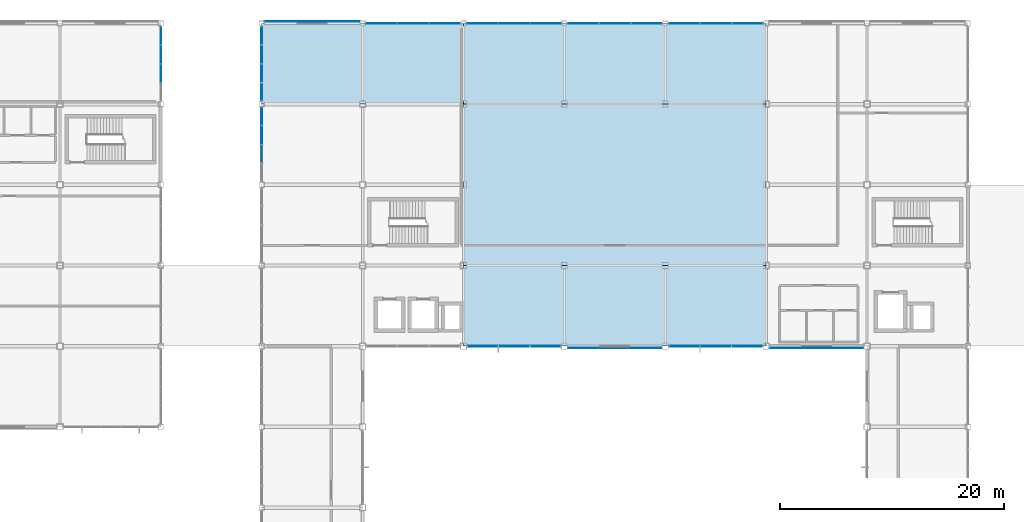
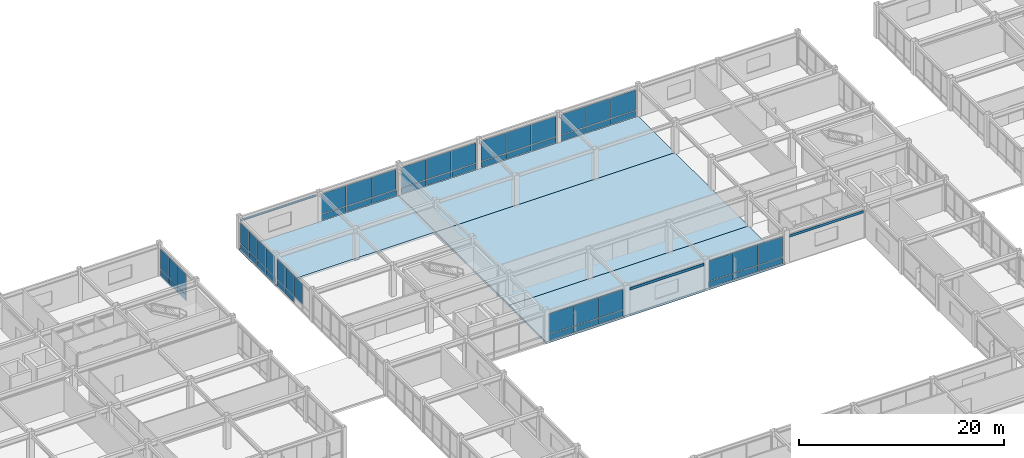
# One storey, part 89 of 113: 58 plates, 4 slabs, 9 elements without a shape of their own.
"""IFC4 building model written with IfcOpenShell, lengths in metres."""

from ifc_helpers import new_model, si_unit, direction, frame, origin, origin_2d, place, context, subcontext, project, spatial, polyline, rectangle, outline, extrude, material, layer, layer_set, type_object, element, aggregate, save


model = new_model("IFC4")

# Units and contexts
model_context = context("Model", 3, precision=1e-05, world=origin(), true_north=direction((0.0, 1.0)))
body_context = subcontext(model_context, "Body", "Model", "MODEL_VIEW")
ifc_project = project(units=[si_unit("LENGTHUNIT", "METRE"), si_unit("AREAUNIT", "SQUARE_METRE"), si_unit("VOLUMEUNIT", "CUBIC_METRE"), si_unit("PLANEANGLEUNIT", "RADIAN"), si_unit("MASSUNIT", "GRAM", prefix="KILO")], contexts=[model_context])

# Site, building, storey
site_placement = place(None, origin())
site = spatial("IfcSite", under=ifc_project, at=site_placement, CompositionType="ELEMENT")
building_placement = place(site_placement, origin())
building = spatial("IfcBuilding", under=site, at=building_placement, Name="Kazanami Central Library", CompositionType="ELEMENT")
storey_placement = place(building_placement, frame((0.0, 0.0, 8.800048828125)))
storey = spatial("IfcBuildingStorey", under=building, at=storey_placement, Name="L03", CompositionType="ELEMENT", Elevation=8.800048828125)

# Curtain wall, plates
ifc_material_1 = material(Name="Acid-Etched Low-E Laminated Glass", Category="glass")
curtain_wall_type_1 = type_object("IfcCurtainWallType", Name="CW-8550x3295-M275", PredefinedType="USERDEFINED", material=ifc_material_1)
curtain_wall_1_placement = place(storey_placement, origin())
curtain_wall_1 = element("IfcCurtainWall", 1, at=curtain_wall_1_placement, inside=storey, type_object=curtain_wall_type_1, Name="Unitised Curtain Wall CW-30 L03 N-O-06", ObjectType="UNITISED CURTAIN WALL", PredefinedType="USERDEFINED")
ifc_layer_1 = layer(ifc_material_1, 0.035888671875, Name="Acid-Etched Low-E Laminated Glass")
ifc_layer_set_1 = layer_set([ifc_layer_1], Name="Acid-Etched Low-E Laminated Glass")
plate_type_1 = type_object("IfcPlateType", Name="PLT-CW-P1", PredefinedType="CURTAIN_PANEL", material=ifc_layer_set_1)
plate_1_placement = place(storey_placement, frame((61.33251953125, 93.60009765625, 0.81494140625), z_axis=(0.0, 0.0, 1.0), x_axis=(-1.0, 0.0, 0.0)))
plate_1 = element("IfcPlate", 2, at=plate_1_placement, type_object=plate_type_1, Name="CW-30 panel 1.2", PredefinedType="CURTAIN_PANEL", context=body_context, shape_type="SweptSolid", body=[
    extrude(rectangle(XDim=2.7451171875, YDim=0.035888671875, at=origin_2d()), origin(), (0.0, 0.0, 1.0), 2.409912109375),
])
plate_2_placement = place(storey_placement, frame((58.5, 93.60009765625, 0.81494140625), z_axis=(0.0, 0.0, 1.0), x_axis=(-1.0, 0.0, 0.0)))
plate_2 = element("IfcPlate", 3, at=plate_2_placement, type_object=plate_type_1, Name="CW-30 panel 2.2", PredefinedType="CURTAIN_PANEL", context=body_context, shape_type="SweptSolid", body=[
    extrude(rectangle(XDim=2.780029296875, YDim=0.035888671875, at=origin_2d()), origin(), (0.0, 0.0, 1.0), 2.409912109375),
])
plate_3_placement = place(storey_placement, frame((55.66748046875, 93.60009765625, 0.81494140625), z_axis=(0.0, 0.0, 1.0), x_axis=(-1.0, 0.0, 0.0)))
plate_3 = element("IfcPlate", 4, at=plate_3_placement, type_object=plate_type_1, Name="CW-30 panel 3.2", PredefinedType="CURTAIN_PANEL", context=body_context, shape_type="SweptSolid", body=[
    extrude(rectangle(XDim=2.7451171875, YDim=0.035888671875, at=origin_2d()), origin(), (0.0, 0.0, 1.0), 2.409912109375),
])

curtain_wall_2_placement = place(storey_placement, origin())
curtain_wall_2 = element("IfcCurtainWall", 5, at=curtain_wall_2_placement, inside=storey, type_object=curtain_wall_type_1, Name="Unitised Curtain Wall CW-30 L03 N-O-08", ObjectType="UNITISED CURTAIN WALL", PredefinedType="USERDEFINED")
plate_4_placement = place(storey_placement, frame((79.33251953125, 93.60009765625, 0.81494140625), z_axis=(0.0, 0.0, 1.0), x_axis=(-1.0, 0.0, 0.0)))
plate_4 = element("IfcPlate", 6, at=plate_4_placement, type_object=plate_type_1, Name="CW-30 panel 1.2", PredefinedType="CURTAIN_PANEL", context=body_context, shape_type="SweptSolid", body=[
    extrude(rectangle(XDim=2.7451171875, YDim=0.035888671875, at=origin_2d()), origin(), (0.0, 0.0, 1.0), 2.409912109375),
])
plate_5_placement = place(storey_placement, frame((76.5, 93.60009765625, 0.81494140625), z_axis=(0.0, 0.0, 1.0), x_axis=(-1.0, 0.0, 0.0)))
plate_5 = element("IfcPlate", 7, at=plate_5_placement, type_object=plate_type_1, Name="CW-30 panel 2.2", PredefinedType="CURTAIN_PANEL", context=body_context, shape_type="SweptSolid", body=[
    extrude(rectangle(XDim=2.780029296875, YDim=0.035888671875, at=origin_2d()), origin(), (0.0, 0.0, 1.0), 2.409912109375),
])
plate_6_placement = place(storey_placement, frame((73.66748046875, 93.60009765625, 0.81494140625), z_axis=(0.0, 0.0, 1.0), x_axis=(-1.0, 0.0, 0.0)))
plate_6 = element("IfcPlate", 8, at=plate_6_placement, type_object=plate_type_1, Name="CW-30 panel 3.2", PredefinedType="CURTAIN_PANEL", context=body_context, shape_type="SweptSolid", body=[
    extrude(rectangle(XDim=2.7451171875, YDim=0.035888671875, at=origin_2d()), origin(), (0.0, 0.0, 1.0), 2.409912109375),
])

curtain_wall_type_2 = type_object("IfcCurtainWallType", Name="CW-8450x3295-M275", PredefinedType="USERDEFINED", material=ifc_material_1)
curtain_wall_3_placement = place(storey_placement, origin())
curtain_wall_3 = element("IfcCurtainWall", 9, at=curtain_wall_3_placement, inside=storey, type_object=curtain_wall_type_2, Name="Unitised Curtain Wall CW-29 L03 S-K-07", ObjectType="UNITISED CURTAIN WALL", PredefinedType="USERDEFINED")
ifc_layer_2 = layer(ifc_material_1, 0.0439453125, Name="Acid-Etched Low-E Laminated Glass")
ifc_layer_set_2 = layer_set([ifc_layer_2], Name="Acid-Etched Low-E Laminated Glass")
plate_type_2 = type_object("IfcPlateType", Name="PLT-CW-P2", PredefinedType="CURTAIN_PANEL", material=ifc_layer_set_2)
plate_7_placement = place(storey_placement, frame((64.700927734375, 64.800048828125, 0.81494140625), z_axis=(0.0, 0.0, 1.0), x_axis=(1.0, 0.0, 0.0)))
plate_7 = element("IfcPlate", 10, at=plate_7_placement, type_object=plate_type_2, Name="CW-29 panel 1.2", PredefinedType="CURTAIN_PANEL", context=body_context, shape_type="SweptSolid", body=[
    extrude(rectangle(XDim=2.711669921875, YDim=0.0439453125, at=origin_2d()), origin(), (0.0, 0.0, 1.0), 2.409912109375),
])
plate_8_placement = place(storey_placement, frame((67.5, 64.800048828125, 0.81494140625), z_axis=(0.0, 0.0, 1.0), x_axis=(1.0, 0.0, 0.0)))
plate_8 = element("IfcPlate", 11, at=plate_8_placement, type_object=plate_type_2, Name="CW-29 panel 2.2", PredefinedType="CURTAIN_PANEL", context=body_context, shape_type="SweptSolid", body=[
    extrude(rectangle(XDim=2.74658203125, YDim=0.0439453125, at=origin_2d()), origin(), (0.0, 0.0, 1.0), 2.409912109375),
])
plate_9_placement = place(storey_placement, frame((70.299072265625, 64.800048828125, 0.81494140625), z_axis=(0.0, 0.0, 1.0), x_axis=(1.0, 0.0, 0.0)))
plate_9 = element("IfcPlate", 12, at=plate_9_placement, type_object=plate_type_2, Name="CW-29 panel 3.2", PredefinedType="CURTAIN_PANEL", context=body_context, shape_type="SweptSolid", body=[
    extrude(rectangle(XDim=2.711669921875, YDim=0.0439453125, at=origin_2d()), origin(), (0.0, 0.0, 1.0), 2.409912109375),
])

curtain_wall_4_placement = place(storey_placement, origin())
curtain_wall_4 = element("IfcCurtainWall", 13, at=curtain_wall_4_placement, inside=storey, type_object=curtain_wall_type_2, Name="Unitised Curtain Wall CW-29 L03 S-K-09", ObjectType="UNITISED CURTAIN WALL", PredefinedType="USERDEFINED")
plate_10_placement = place(storey_placement, frame((82.700927734375, 64.800048828125, 0.81494140625), z_axis=(0.0, 0.0, 1.0), x_axis=(1.0, 0.0, 0.0)))
plate_10 = element("IfcPlate", 14, at=plate_10_placement, type_object=plate_type_2, Name="CW-29 panel 1.2", PredefinedType="CURTAIN_PANEL", context=body_context, shape_type="SweptSolid", body=[
    extrude(rectangle(XDim=2.711669921875, YDim=0.0439453125, at=origin_2d()), origin(), (0.0, 0.0, 1.0), 2.409912109375),
])
plate_11_placement = place(storey_placement, frame((85.5, 64.800048828125, 0.81494140625), z_axis=(0.0, 0.0, 1.0), x_axis=(1.0, 0.0, 0.0)))
plate_11 = element("IfcPlate", 15, at=plate_11_placement, type_object=plate_type_2, Name="CW-29 panel 2.2", PredefinedType="CURTAIN_PANEL", context=body_context, shape_type="SweptSolid", body=[
    extrude(rectangle(XDim=2.74658203125, YDim=0.0439453125, at=origin_2d()), origin(), (0.0, 0.0, 1.0), 2.409912109375),
])
plate_12_placement = place(storey_placement, frame((88.299072265625, 64.800048828125, 0.81494140625), z_axis=(0.0, 0.0, 1.0), x_axis=(1.0, 0.0, 0.0)))
plate_12 = element("IfcPlate", 16, at=plate_12_placement, type_object=plate_type_2, Name="CW-29 panel 3.2", PredefinedType="CURTAIN_PANEL", context=body_context, shape_type="SweptSolid", body=[
    extrude(rectangle(XDim=2.711669921875, YDim=0.0439453125, at=origin_2d()), origin(), (0.0, 0.0, 1.0), 2.409912109375),
])

curtain_wall_5_placement = place(storey_placement, origin())
curtain_wall_5 = element("IfcCurtainWall", 17, at=curtain_wall_5_placement, inside=storey, type_object=curtain_wall_type_1, Name="Unitised Curtain Wall CW-30 L03 N-O-07", ObjectType="UNITISED CURTAIN WALL", PredefinedType="USERDEFINED")
plate_13_placement = place(storey_placement, frame((70.33251953125, 93.60009765625, 0.81494140625), z_axis=(0.0, 0.0, 1.0), x_axis=(-1.0, 0.0, 0.0)))
plate_13 = element("IfcPlate", 18, at=plate_13_placement, type_object=plate_type_2, Name="CW-30 panel 1.2", PredefinedType="CURTAIN_PANEL", context=body_context, shape_type="SweptSolid", body=[
    extrude(rectangle(XDim=2.7451171875, YDim=0.0439453125, at=origin_2d()), origin(), (0.0, 0.0, 1.0), 2.409912109375),
])
plate_14_placement = place(storey_placement, frame((67.5, 93.60009765625, 0.81494140625), z_axis=(0.0, 0.0, 1.0), x_axis=(-1.0, 0.0, 0.0)))
plate_14 = element("IfcPlate", 19, at=plate_14_placement, type_object=plate_type_2, Name="CW-30 panel 2.2", PredefinedType="CURTAIN_PANEL", context=body_context, shape_type="SweptSolid", body=[
    extrude(rectangle(XDim=2.780029296875, YDim=0.0439453125, at=origin_2d()), origin(), (0.0, 0.0, 1.0), 2.409912109375),
])
plate_15_placement = place(storey_placement, frame((64.66748046875, 93.60009765625, 0.81494140625), z_axis=(0.0, 0.0, 1.0), x_axis=(-1.0, 0.0, 0.0)))
plate_15 = element("IfcPlate", 20, at=plate_15_placement, type_object=plate_type_2, Name="CW-30 panel 3.2", PredefinedType="CURTAIN_PANEL", context=body_context, shape_type="SweptSolid", body=[
    extrude(rectangle(XDim=2.7451171875, YDim=0.0439453125, at=origin_2d()), origin(), (0.0, 0.0, 1.0), 2.409912109375),
])

curtain_wall_6_placement = place(storey_placement, origin())
curtain_wall_6 = element("IfcCurtainWall", 21, at=curtain_wall_6_placement, inside=storey, type_object=curtain_wall_type_1, Name="Unitised Curtain Wall CW-30 L03 N-O-09", ObjectType="UNITISED CURTAIN WALL", PredefinedType="USERDEFINED")
plate_16_placement = place(storey_placement, frame((88.33251953125, 93.60009765625, 0.81494140625), z_axis=(0.0, 0.0, 1.0), x_axis=(-1.0, 0.0, 0.0)))
plate_16 = element("IfcPlate", 22, at=plate_16_placement, type_object=plate_type_2, Name="CW-30 panel 1.2", PredefinedType="CURTAIN_PANEL", context=body_context, shape_type="SweptSolid", body=[
    extrude(rectangle(XDim=2.7451171875, YDim=0.0439453125, at=origin_2d()), origin(), (0.0, 0.0, 1.0), 2.409912109375),
])
plate_17_placement = place(storey_placement, frame((85.5, 93.60009765625, 0.81494140625), z_axis=(0.0, 0.0, 1.0), x_axis=(-1.0, 0.0, 0.0)))
plate_17 = element("IfcPlate", 23, at=plate_17_placement, type_object=plate_type_2, Name="CW-30 panel 2.2", PredefinedType="CURTAIN_PANEL", context=body_context, shape_type="SweptSolid", body=[
    extrude(rectangle(XDim=2.780029296875, YDim=0.0439453125, at=origin_2d()), origin(), (0.0, 0.0, 1.0), 2.409912109375),
])
plate_18_placement = place(storey_placement, frame((82.66748046875, 93.60009765625, 0.81494140625), z_axis=(0.0, 0.0, 1.0), x_axis=(-1.0, 0.0, 0.0)))
plate_18 = element("IfcPlate", 24, at=plate_18_placement, type_object=plate_type_2, Name="CW-30 panel 3.2", PredefinedType="CURTAIN_PANEL", context=body_context, shape_type="SweptSolid", body=[
    extrude(rectangle(XDim=2.7451171875, YDim=0.0439453125, at=origin_2d()), origin(), (0.0, 0.0, 1.0), 2.409912109375),
])

curtain_wall_type_3 = type_object("IfcCurtainWallType", Name="CW-6750x3295-M180", PredefinedType="USERDEFINED", material=ifc_material_1)
curtain_wall_7_placement = place(storey_placement, origin())
curtain_wall_7 = element("IfcCurtainWall", 25, at=curtain_wall_7_placement, inside=storey, type_object=curtain_wall_type_3, Name="Covered Link Bridge Curtain Wall CW-32 L03 E-5-12", ObjectType="UNITISED CURTAIN WALL", PredefinedType="USERDEFINED")
ifc_material_2 = material(Name="Low-E Insulated Triple Glass", Category="glass")
ifc_layer_3 = layer(ifc_material_2, 0.0400390625, Name="Low-E Insulated Triple Glass")
ifc_layer_set_3 = layer_set([ifc_layer_3], Name="Low-E Insulated Triple Glass")
plate_type_3 = type_object("IfcPlateType", Name="PLT-CW-P3", PredefinedType="CURTAIN_PANEL", material=ifc_layer_set_3)
plate_19_placement = place(storey_placement, frame((36.0, 92.516357421875, 0.81005859375), z_axis=(0.0, 0.0, 1.0), x_axis=(0.0, -1.0, 0.0)))
plate_19 = element("IfcPlate", 26, at=plate_19_placement, type_object=plate_type_3, Name="CW-32 panel 1.2", PredefinedType="CURTAIN_PANEL", context=body_context, shape_type="SweptSolid", body=[
    extrude(rectangle(XDim=1.597412109375, YDim=0.0400390625, at=origin_2d()), origin(), (0.0, 0.0, 1.0), 2.425048828125),
])
plate_20_placement = place(storey_placement, frame((36.0, 90.84375, 0.81005859375), z_axis=(0.0, 0.0, 1.0), x_axis=(0.0, -1.0, 0.0)))
plate_20 = element("IfcPlate", 27, at=plate_20_placement, type_object=plate_type_3, Name="CW-32 panel 2.2", PredefinedType="CURTAIN_PANEL", context=body_context, shape_type="SweptSolid", body=[
    extrude(rectangle(XDim=1.62744140625, YDim=0.0400390625, at=origin_2d()), origin(), (0.0, 0.0, 1.0), 2.425048828125),
])
plate_21_placement = place(storey_placement, frame((36.0, 89.15625, 0.81005859375), z_axis=(0.0, 0.0, 1.0), x_axis=(0.0, -1.0, 0.0)))
plate_21 = element("IfcPlate", 28, at=plate_21_placement, type_object=plate_type_3, Name="CW-32 panel 3.2", PredefinedType="CURTAIN_PANEL", context=body_context, shape_type="SweptSolid", body=[
    extrude(rectangle(XDim=1.62744140625, YDim=0.0400390625, at=origin_2d()), origin(), (0.0, 0.0, 1.0), 2.425048828125),
])

curtain_wall_8_placement = place(storey_placement, origin())
curtain_wall_8 = element("IfcCurtainWall", 29, at=curtain_wall_8_placement, inside=storey, type_object=curtain_wall_type_3, Name="Covered Link Bridge Curtain Wall CW-32 L03 W-6-11", ObjectType="UNITISED CURTAIN WALL", PredefinedType="USERDEFINED")
plate_22_placement = place(storey_placement, frame((45.0, 81.956298828125, 0.81494140625), z_axis=(0.0, 0.0, 1.0), x_axis=(0.0, 1.0, 0.0)))
plate_22 = element("IfcPlate", 30, at=plate_22_placement, type_object=plate_type_3, Name="CW-32 panel 2.2", PredefinedType="CURTAIN_PANEL", context=body_context, shape_type="SweptSolid", body=[
    extrude(rectangle(XDim=1.617431640625, YDim=0.0400390625, at=origin_2d()), origin(), (0.0, 0.0, 1.0), 2.409912109375),
])
plate_23_placement = place(storey_placement, frame((45.0, 83.643798828125, 0.81494140625), z_axis=(0.0, 0.0, 1.0), x_axis=(0.0, 1.0, 0.0)))
plate_23 = element("IfcPlate", 31, at=plate_23_placement, type_object=plate_type_3, Name="CW-32 panel 3.2", PredefinedType="CURTAIN_PANEL", context=body_context, shape_type="SweptSolid", body=[
    extrude(rectangle(XDim=1.617431640625, YDim=0.0400390625, at=origin_2d()), origin(), (0.0, 0.0, 1.0), 2.409912109375),
])
plate_24_placement = place(storey_placement, frame((45.0, 85.313720703125, 0.81494140625), z_axis=(0.0, 0.0, 1.0), x_axis=(0.0, 1.0, 0.0)))
plate_24 = element("IfcPlate", 32, at=plate_24_placement, type_object=plate_type_3, Name="CW-32 panel 4.2", PredefinedType="CURTAIN_PANEL", context=body_context, shape_type="SweptSolid", body=[
    extrude(rectangle(XDim=1.58251953125, YDim=0.0400390625, at=origin_2d()), origin(), (0.0, 0.0, 1.0), 2.409912109375),
])

curtain_wall_9_placement = place(storey_placement, origin())
curtain_wall_9 = element("IfcCurtainWall", 33, at=curtain_wall_9_placement, inside=storey, type_object=curtain_wall_type_3, Name="Covered Link Bridge Curtain Wall CW-32 L03 W-6-12", ObjectType="UNITISED CURTAIN WALL", PredefinedType="USERDEFINED")
plate_25_placement = place(storey_placement, frame((45.0, 87.486328125, 0.81494140625), z_axis=(0.0, 0.0, 1.0), x_axis=(0.0, 1.0, 0.0)))
plate_25 = element("IfcPlate", 34, at=plate_25_placement, type_object=plate_type_3, Name="CW-32 panel 1.2", PredefinedType="CURTAIN_PANEL", context=body_context, shape_type="SweptSolid", body=[
    extrude(rectangle(XDim=1.58251953125, YDim=0.0400390625, at=origin_2d()), origin(), (0.0, 0.0, 1.0), 2.409912109375),
])
plate_26_placement = place(storey_placement, frame((45.0, 89.15625, 0.81494140625), z_axis=(0.0, 0.0, 1.0), x_axis=(0.0, 1.0, 0.0)))
plate_26 = element("IfcPlate", 35, at=plate_26_placement, type_object=plate_type_3, Name="CW-32 panel 2.2", PredefinedType="CURTAIN_PANEL", context=body_context, shape_type="SweptSolid", body=[
    extrude(rectangle(XDim=1.617431640625, YDim=0.0400390625, at=origin_2d()), origin(), (0.0, 0.0, 1.0), 2.409912109375),
])
plate_27_placement = place(storey_placement, frame((45.0, 90.84375, 0.81494140625), z_axis=(0.0, 0.0, 1.0), x_axis=(0.0, 1.0, 0.0)))
plate_27 = element("IfcPlate", 36, at=plate_27_placement, type_object=plate_type_3, Name="CW-32 panel 3.2", PredefinedType="CURTAIN_PANEL", context=body_context, shape_type="SweptSolid", body=[
    extrude(rectangle(XDim=1.617431640625, YDim=0.0400390625, at=origin_2d()), origin(), (0.0, 0.0, 1.0), 2.409912109375),
])
plate_28_placement = place(storey_placement, frame((45.0, 92.513671875, 0.81494140625), z_axis=(0.0, 0.0, 1.0), x_axis=(0.0, 1.0, 0.0)))
plate_28 = element("IfcPlate", 37, at=plate_28_placement, type_object=plate_type_3, Name="CW-32 panel 4.2", PredefinedType="CURTAIN_PANEL", context=body_context, shape_type="SweptSolid", body=[
    extrude(rectangle(XDim=1.58251953125, YDim=0.0400390625, at=origin_2d()), origin(), (0.0, 0.0, 1.0), 2.409912109375),
])

# Plate
ifc_material_3 = material(Name="Anodised Aluminium A5052-H32", Category="aluminium")
ifc_layer_4 = layer(ifc_material_3, 0.06005859375, Name="Anodised Aluminium A5052-H32")
ifc_layer_set_4 = layer_set([ifc_layer_4], Name="Anodised Aluminium A5052-H32")
plate_type_4 = type_object("IfcPlateType", Name="PLT-CW-SP1", PredefinedType="CURTAIN_PANEL", material=ifc_layer_set_4)
plate_29_placement = place(storey_placement, frame((64.700927734375, 64.800048828125, 0.06982421875), z_axis=(0.0, 0.0, 1.0), x_axis=(1.0, 0.0, 0.0)))
plate_29 = element("IfcPlate", 38, at=plate_29_placement, type_object=plate_type_4, Name="CW-29 panel 1.1", PredefinedType="CURTAIN_PANEL", context=body_context, shape_type="SweptSolid", body=[
    extrude(rectangle(XDim=2.711669921875, YDim=0.06005859375, at=origin_2d()), origin(), (0.0, 0.0, 1.0), 0.675048828125),
])

plate_30_placement = place(storey_placement, frame((67.5, 64.800048828125, 0.06982421875), z_axis=(0.0, 0.0, 1.0), x_axis=(1.0, 0.0, 0.0)))
plate_30 = element("IfcPlate", 39, at=plate_30_placement, type_object=plate_type_4, Name="CW-29 panel 2.1", PredefinedType="CURTAIN_PANEL", context=body_context, shape_type="SweptSolid", body=[
    extrude(rectangle(XDim=2.74658203125, YDim=0.06005859375, at=origin_2d()), origin(), (0.0, 0.0, 1.0), 0.675048828125),
])

plate_31_placement = place(storey_placement, frame((70.299072265625, 64.800048828125, 0.06982421875), z_axis=(0.0, 0.0, 1.0), x_axis=(1.0, 0.0, 0.0)))
plate_31 = element("IfcPlate", 40, at=plate_31_placement, type_object=plate_type_4, Name="CW-29 panel 3.1", PredefinedType="CURTAIN_PANEL", context=body_context, shape_type="SweptSolid", body=[
    extrude(rectangle(XDim=2.711669921875, YDim=0.06005859375, at=origin_2d()), origin(), (0.0, 0.0, 1.0), 0.675048828125),
])

aggregate(curtain_wall_3, [plate_29, plate_7, plate_30, plate_8, plate_31, plate_9])

plate_32_placement = place(storey_placement, frame((82.700927734375, 64.800048828125, 0.06982421875), z_axis=(0.0, 0.0, 1.0), x_axis=(1.0, 0.0, 0.0)))
plate_32 = element("IfcPlate", 41, at=plate_32_placement, type_object=plate_type_4, Name="CW-29 panel 1.1", PredefinedType="CURTAIN_PANEL", context=body_context, shape_type="SweptSolid", body=[
    extrude(rectangle(XDim=2.711669921875, YDim=0.06005859375, at=origin_2d()), origin(), (0.0, 0.0, 1.0), 0.675048828125),
])

plate_33_placement = place(storey_placement, frame((85.5, 64.800048828125, 0.06982421875), z_axis=(0.0, 0.0, 1.0), x_axis=(1.0, 0.0, 0.0)))
plate_33 = element("IfcPlate", 42, at=plate_33_placement, type_object=plate_type_4, Name="CW-29 panel 2.1", PredefinedType="CURTAIN_PANEL", context=body_context, shape_type="SweptSolid", body=[
    extrude(rectangle(XDim=2.74658203125, YDim=0.06005859375, at=origin_2d()), origin(), (0.0, 0.0, 1.0), 0.675048828125),
])

plate_34_placement = place(storey_placement, frame((88.299072265625, 64.800048828125, 0.06982421875), z_axis=(0.0, 0.0, 1.0), x_axis=(1.0, 0.0, 0.0)))
plate_34 = element("IfcPlate", 43, at=plate_34_placement, type_object=plate_type_4, Name="CW-29 panel 3.1", PredefinedType="CURTAIN_PANEL", context=body_context, shape_type="SweptSolid", body=[
    extrude(rectangle(XDim=2.711669921875, YDim=0.06005859375, at=origin_2d()), origin(), (0.0, 0.0, 1.0), 0.675048828125),
])

aggregate(curtain_wall_4, [plate_32, plate_10, plate_33, plate_11, plate_34, plate_12])

plate_35_placement = place(storey_placement, frame((61.33251953125, 93.60009765625, 0.06982421875), z_axis=(0.0, 0.0, 1.0), x_axis=(-1.0, 0.0, 0.0)))
plate_35 = element("IfcPlate", 44, at=plate_35_placement, type_object=plate_type_4, Name="CW-30 panel 1.1", PredefinedType="CURTAIN_PANEL", context=body_context, shape_type="SweptSolid", body=[
    extrude(rectangle(XDim=2.7451171875, YDim=0.06005859375, at=origin_2d()), origin(), (0.0, 0.0, 1.0), 0.675048828125),
])

plate_36_placement = place(storey_placement, frame((58.5, 93.60009765625, 0.06982421875), z_axis=(0.0, 0.0, 1.0), x_axis=(-1.0, 0.0, 0.0)))
plate_36 = element("IfcPlate", 45, at=plate_36_placement, type_object=plate_type_4, Name="CW-30 panel 2.1", PredefinedType="CURTAIN_PANEL", context=body_context, shape_type="SweptSolid", body=[
    extrude(rectangle(XDim=2.780029296875, YDim=0.06005859375, at=origin_2d()), origin(), (0.0, 0.0, 1.0), 0.675048828125),
])

plate_37_placement = place(storey_placement, frame((55.66748046875, 93.60009765625, 0.06982421875), z_axis=(0.0, 0.0, 1.0), x_axis=(-1.0, 0.0, 0.0)))
plate_37 = element("IfcPlate", 46, at=plate_37_placement, type_object=plate_type_4, Name="CW-30 panel 3.1", PredefinedType="CURTAIN_PANEL", context=body_context, shape_type="SweptSolid", body=[
    extrude(rectangle(XDim=2.7451171875, YDim=0.06005859375, at=origin_2d()), origin(), (0.0, 0.0, 1.0), 0.675048828125),
])

aggregate(curtain_wall_1, [plate_35, plate_1, plate_36, plate_2, plate_37, plate_3])

plate_38_placement = place(storey_placement, frame((70.33251953125, 93.60009765625, 0.06982421875), z_axis=(0.0, 0.0, 1.0), x_axis=(-1.0, 0.0, 0.0)))
plate_38 = element("IfcPlate", 47, at=plate_38_placement, type_object=plate_type_4, Name="CW-30 panel 1.1", PredefinedType="CURTAIN_PANEL", context=body_context, shape_type="SweptSolid", body=[
    extrude(rectangle(XDim=2.7451171875, YDim=0.06005859375, at=origin_2d()), origin(), (0.0, 0.0, 1.0), 0.675048828125),
])

plate_39_placement = place(storey_placement, frame((67.5, 93.60009765625, 0.06982421875), z_axis=(0.0, 0.0, 1.0), x_axis=(-1.0, 0.0, 0.0)))
plate_39 = element("IfcPlate", 48, at=plate_39_placement, type_object=plate_type_4, Name="CW-30 panel 2.1", PredefinedType="CURTAIN_PANEL", context=body_context, shape_type="SweptSolid", body=[
    extrude(rectangle(XDim=2.780029296875, YDim=0.06005859375, at=origin_2d()), origin(), (0.0, 0.0, 1.0), 0.675048828125),
])

plate_40_placement = place(storey_placement, frame((64.66748046875, 93.60009765625, 0.06982421875), z_axis=(0.0, 0.0, 1.0), x_axis=(-1.0, 0.0, 0.0)))
plate_40 = element("IfcPlate", 49, at=plate_40_placement, type_object=plate_type_4, Name="CW-30 panel 3.1", PredefinedType="CURTAIN_PANEL", context=body_context, shape_type="SweptSolid", body=[
    extrude(rectangle(XDim=2.7451171875, YDim=0.06005859375, at=origin_2d()), origin(), (0.0, 0.0, 1.0), 0.675048828125),
])

aggregate(curtain_wall_5, [plate_38, plate_13, plate_39, plate_14, plate_40, plate_15])

plate_41_placement = place(storey_placement, frame((79.33251953125, 93.60009765625, 0.06982421875), z_axis=(0.0, 0.0, 1.0), x_axis=(-1.0, 0.0, 0.0)))
plate_41 = element("IfcPlate", 50, at=plate_41_placement, type_object=plate_type_4, Name="CW-30 panel 1.1", PredefinedType="CURTAIN_PANEL", context=body_context, shape_type="SweptSolid", body=[
    extrude(rectangle(XDim=2.7451171875, YDim=0.06005859375, at=origin_2d()), origin(), (0.0, 0.0, 1.0), 0.675048828125),
])

plate_42_placement = place(storey_placement, frame((76.5, 93.60009765625, 0.06982421875), z_axis=(0.0, 0.0, 1.0), x_axis=(-1.0, 0.0, 0.0)))
plate_42 = element("IfcPlate", 51, at=plate_42_placement, type_object=plate_type_4, Name="CW-30 panel 2.1", PredefinedType="CURTAIN_PANEL", context=body_context, shape_type="SweptSolid", body=[
    extrude(rectangle(XDim=2.780029296875, YDim=0.06005859375, at=origin_2d()), origin(), (0.0, 0.0, 1.0), 0.675048828125),
])

plate_43_placement = place(storey_placement, frame((73.66748046875, 93.60009765625, 0.06982421875), z_axis=(0.0, 0.0, 1.0), x_axis=(-1.0, 0.0, 0.0)))
plate_43 = element("IfcPlate", 52, at=plate_43_placement, type_object=plate_type_4, Name="CW-30 panel 3.1", PredefinedType="CURTAIN_PANEL", context=body_context, shape_type="SweptSolid", body=[
    extrude(rectangle(XDim=2.7451171875, YDim=0.06005859375, at=origin_2d()), origin(), (0.0, 0.0, 1.0), 0.675048828125),
])

aggregate(curtain_wall_2, [plate_41, plate_4, plate_42, plate_5, plate_43, plate_6])

plate_44_placement = place(storey_placement, frame((88.33251953125, 93.60009765625, 0.06982421875), z_axis=(0.0, 0.0, 1.0), x_axis=(-1.0, 0.0, 0.0)))
plate_44 = element("IfcPlate", 53, at=plate_44_placement, type_object=plate_type_4, Name="CW-30 panel 1.1", PredefinedType="CURTAIN_PANEL", context=body_context, shape_type="SweptSolid", body=[
    extrude(rectangle(XDim=2.7451171875, YDim=0.06005859375, at=origin_2d()), origin(), (0.0, 0.0, 1.0), 0.675048828125),
])

plate_45_placement = place(storey_placement, frame((85.5, 93.60009765625, 0.06982421875), z_axis=(0.0, 0.0, 1.0), x_axis=(-1.0, 0.0, 0.0)))
plate_45 = element("IfcPlate", 54, at=plate_45_placement, type_object=plate_type_4, Name="CW-30 panel 2.1", PredefinedType="CURTAIN_PANEL", context=body_context, shape_type="SweptSolid", body=[
    extrude(rectangle(XDim=2.780029296875, YDim=0.06005859375, at=origin_2d()), origin(), (0.0, 0.0, 1.0), 0.675048828125),
])

plate_46_placement = place(storey_placement, frame((82.66748046875, 93.60009765625, 0.06982421875), z_axis=(0.0, 0.0, 1.0), x_axis=(-1.0, 0.0, 0.0)))
plate_46 = element("IfcPlate", 55, at=plate_46_placement, type_object=plate_type_4, Name="CW-30 panel 3.1", PredefinedType="CURTAIN_PANEL", context=body_context, shape_type="SweptSolid", body=[
    extrude(rectangle(XDim=2.7451171875, YDim=0.06005859375, at=origin_2d()), origin(), (0.0, 0.0, 1.0), 0.675048828125),
])

aggregate(curtain_wall_6, [plate_44, plate_16, plate_45, plate_17, plate_46, plate_18])

plate_47_placement = place(storey_placement, frame((45.0, 83.643798828125, 0.06982421875), z_axis=(0.0, 0.0, 1.0), x_axis=(0.0, 1.0, 0.0)))
plate_47 = element("IfcPlate", 56, at=plate_47_placement, type_object=plate_type_4, Name="CW-32 panel 3.1", PredefinedType="CURTAIN_PANEL", context=body_context, shape_type="SweptSolid", body=[
    extrude(rectangle(XDim=1.617431640625, YDim=0.06005859375, at=origin_2d()), origin(), (0.0, 0.0, 1.0), 0.675048828125),
])

plate_48_placement = place(storey_placement, frame((45.0, 85.313720703125, 0.06982421875), z_axis=(0.0, 0.0, 1.0), x_axis=(0.0, 1.0, 0.0)))
plate_48 = element("IfcPlate", 57, at=plate_48_placement, type_object=plate_type_4, Name="CW-32 panel 4.1", PredefinedType="CURTAIN_PANEL", context=body_context, shape_type="SweptSolid", body=[
    extrude(rectangle(XDim=1.58251953125, YDim=0.06005859375, at=origin_2d()), origin(), (0.0, 0.0, 1.0), 0.675048828125),
])

aggregate(curtain_wall_8, [plate_22, plate_47, plate_23, plate_48, plate_24])

plate_49_placement = place(storey_placement, frame((45.0, 87.486328125, 0.06982421875), z_axis=(0.0, 0.0, 1.0), x_axis=(0.0, 1.0, 0.0)))
plate_49 = element("IfcPlate", 58, at=plate_49_placement, type_object=plate_type_4, Name="CW-32 panel 1.1", PredefinedType="CURTAIN_PANEL", context=body_context, shape_type="SweptSolid", body=[
    extrude(rectangle(XDim=1.58251953125, YDim=0.06005859375, at=origin_2d()), origin(), (0.0, 0.0, 1.0), 0.675048828125),
])

plate_50_placement = place(storey_placement, frame((45.0, 89.15625, 0.06982421875), z_axis=(0.0, 0.0, 1.0), x_axis=(0.0, 1.0, 0.0)))
plate_50 = element("IfcPlate", 59, at=plate_50_placement, type_object=plate_type_4, Name="CW-32 panel 2.1", PredefinedType="CURTAIN_PANEL", context=body_context, shape_type="SweptSolid", body=[
    extrude(rectangle(XDim=1.617431640625, YDim=0.06005859375, at=origin_2d()), origin(), (0.0, 0.0, 1.0), 0.675048828125),
])

plate_51_placement = place(storey_placement, frame((45.0, 90.84375, 0.06982421875), z_axis=(0.0, 0.0, 1.0), x_axis=(0.0, 1.0, 0.0)))
plate_51 = element("IfcPlate", 60, at=plate_51_placement, type_object=plate_type_4, Name="CW-32 panel 3.1", PredefinedType="CURTAIN_PANEL", context=body_context, shape_type="SweptSolid", body=[
    extrude(rectangle(XDim=1.617431640625, YDim=0.06005859375, at=origin_2d()), origin(), (0.0, 0.0, 1.0), 0.675048828125),
])

plate_52_placement = place(storey_placement, frame((45.0, 92.513671875, 0.06982421875), z_axis=(0.0, 0.0, 1.0), x_axis=(0.0, 1.0, 0.0)))
plate_52 = element("IfcPlate", 61, at=plate_52_placement, type_object=plate_type_4, Name="CW-32 panel 4.1", PredefinedType="CURTAIN_PANEL", context=body_context, shape_type="SweptSolid", body=[
    extrude(rectangle(XDim=1.58251953125, YDim=0.06005859375, at=origin_2d()), origin(), (0.0, 0.0, 1.0), 0.675048828125),
])

aggregate(curtain_wall_9, [plate_49, plate_25, plate_50, plate_26, plate_51, plate_27, plate_52, plate_28])

ifc_layer_5 = layer(ifc_material_3, 0.052001953125, Name="Anodised Aluminium A5052-H32")
ifc_layer_set_5 = layer_set([ifc_layer_5], Name="Anodised Aluminium A5052-H32")
plate_type_5 = type_object("IfcPlateType", Name="PLT-CW-SP2", PredefinedType="CURTAIN_PANEL", material=ifc_layer_set_5)
plate_53_placement = place(storey_placement, frame((36.0, 92.516357421875, 0.06005859375), z_axis=(0.0, 0.0, 1.0), x_axis=(0.0, -1.0, 0.0)))
plate_53 = element("IfcPlate", 62, at=plate_53_placement, type_object=plate_type_5, Name="CW-32 panel 1.1", PredefinedType="CURTAIN_PANEL", context=body_context, shape_type="SweptSolid", body=[
    extrude(rectangle(XDim=1.597412109375, YDim=0.052001953125, at=origin_2d()), origin(), (0.0, 0.0, 1.0), 0.68994140625),
])

plate_54_placement = place(storey_placement, frame((36.0, 90.84375, 0.06005859375), z_axis=(0.0, 0.0, 1.0), x_axis=(0.0, -1.0, 0.0)))
plate_54 = element("IfcPlate", 63, at=plate_54_placement, type_object=plate_type_5, Name="CW-32 panel 2.1", PredefinedType="CURTAIN_PANEL", context=body_context, shape_type="SweptSolid", body=[
    extrude(rectangle(XDim=1.62744140625, YDim=0.052001953125, at=origin_2d()), origin(), (0.0, 0.0, 1.0), 0.68994140625),
])

plate_55_placement = place(storey_placement, frame((36.0, 89.15625, 0.06005859375), z_axis=(0.0, 0.0, 1.0), x_axis=(0.0, -1.0, 0.0)))
plate_55 = element("IfcPlate", 64, at=plate_55_placement, type_object=plate_type_5, Name="CW-32 panel 3.1", PredefinedType="CURTAIN_PANEL", context=body_context, shape_type="SweptSolid", body=[
    extrude(rectangle(XDim=1.62744140625, YDim=0.052001953125, at=origin_2d()), origin(), (0.0, 0.0, 1.0), 0.68994140625),
])

aggregate(curtain_wall_7, [plate_53, plate_19, plate_54, plate_20, plate_55, plate_21])

# Plates
ifc_layer_6 = layer(ifc_material_3, 0.011962890625, Name="Anodised Aluminium A5052-H32")
ifc_layer_set_6 = layer_set([ifc_layer_6], Name="Anodised Aluminium A5052-H32")
plate_type_6 = type_object("IfcPlateType", Name="PLT-SPN-12", PredefinedType="SHEET", material=ifc_layer_set_6)
plate_56_placement = place(storey_placement, frame((94.5, 64.634033203125, 2.98486328125), z_axis=(0.0, 0.0, 1.0), x_axis=(1.0, 0.0, 0.0)))
element("IfcPlate", 65, at=plate_56_placement, inside=storey, type_object=plate_type_6, Name="Architectural Spandrel Sheet SPN-12 L03 S-K-10", PredefinedType="SHEET", context=body_context, shape_type="SweptSolid", body=[
    extrude(rectangle(XDim=8.35009765625, YDim=0.011962890625, at=origin_2d()), origin(), (0.0, 0.0, 1.0), 0.300048828125),
])
ifc_layer_7 = layer(ifc_material_3, 0.013916015625, Name="Anodised Aluminium A5052-H32")
ifc_layer_set_7 = layer_set([ifc_layer_7], Name="Anodised Aluminium A5052-H32")
plate_type_7 = type_object("IfcPlateType", Name="PLT-SPN-14", PredefinedType="SHEET", material=ifc_layer_set_7)
plate_57_placement = place(storey_placement, frame((49.5, 93.76708984375, 2.98486328125), z_axis=(0.0, 0.0, 1.0), x_axis=(-1.0, 0.0, 0.0)))
element("IfcPlate", 66, at=plate_57_placement, inside=storey, type_object=plate_type_7, Name="Architectural Spandrel Sheet SPN-14 L03 N-O-05", PredefinedType="SHEET", context=body_context, shape_type="SweptSolid", body=[
    extrude(rectangle(XDim=8.449951171875, YDim=0.013916015625, at=origin_2d()), origin(), (0.0, 0.0, 1.0), 0.300048828125),
])
ifc_layer_8 = layer(ifc_material_3, 0.02001953125, Name="Anodised Aluminium A5052-H32")
ifc_layer_set_8 = layer_set([ifc_layer_8], Name="Anodised Aluminium A5052-H32")
plate_type_8 = type_object("IfcPlateType", Name="PLT-SPN-20", PredefinedType="SHEET", material=ifc_layer_set_8)
plate_58_placement = place(storey_placement, frame((76.5, 64.6298828125, 2.98486328125), z_axis=(0.0, 0.0, 1.0), x_axis=(1.0, 0.0, 0.0)))
element("IfcPlate", 67, at=plate_58_placement, inside=storey, type_object=plate_type_8, Name="Architectural Spandrel Sheet SPN-20 L03 S-K-08", PredefinedType="SHEET", context=body_context, shape_type="SweptSolid", body=[
    extrude(rectangle(XDim=8.35009765625, YDim=0.02001953125, at=origin_2d()), origin(), (0.0, 0.0, 1.0), 0.300048828125),
])

# Slabs
ifc_material_4 = material(Name="Concrete Fc36 (36 MPa)", Category="concrete")
ifc_layer_9 = layer(ifc_material_4, 0.2451171875, Name="Concrete Fc36 (36 MPa)")
ifc_layer_set_9 = layer_set([ifc_layer_9], Name="Concrete Fc36 (36 MPa)")
slab_type = type_object("IfcSlabType", Name="SLB-FLR-245", PredefinedType="FLOOR", material=ifc_layer_set_9)
slab_1_placement = place(storey_placement, frame((0.0, 0.0, -0.2451171875)))
element("IfcSlab", 68, at=slab_1_placement, inside=storey, type_object=slab_type, Name="Composite Floor Slab L03 V1-NORTH Zone 20", PredefinedType="FLOOR", context=body_context, shape_type="SweptSolid", body=[
    extrude(outline(polyline([(45.0, 86.39990234375), (63.0, 86.39990234375), (63.0, 93.60009765625), (45.0, 93.60009765625), (45.0, 86.39990234375)])), origin(), (0.0, 0.0, 1.0), 0.2451171875),
])
slab_2_placement = place(storey_placement, frame((0.0, 0.0, -0.2451171875)))
element("IfcSlab", 69, at=slab_2_placement, inside=storey, type_object=slab_type, Name="Composite Floor Slab L03 V1-NORTH Zone 21", PredefinedType="FLOOR", context=body_context, shape_type="SweptSolid", body=[
    extrude(outline(polyline([(63.0, 64.800048828125), (90.0, 64.800048828125), (90.0, 72.0), (63.0, 72.0), (63.0, 64.800048828125)])), origin(), (0.0, 0.0, 1.0), 0.2451171875),
])
slab_3_placement = place(storey_placement, frame((0.0, 0.0, -0.2451171875)))
element("IfcSlab", 70, at=slab_3_placement, inside=storey, type_object=slab_type, Name="Composite Floor Slab L03 V1-NORTH Zone 22", PredefinedType="FLOOR", context=body_context, shape_type="SweptSolid", body=[
    extrude(outline(polyline([(63.0, 72.0), (90.0, 72.0), (90.0, 86.39990234375), (63.0, 86.39990234375), (63.0, 72.0)])), origin(), (0.0, 0.0, 1.0), 0.2451171875),
])
slab_4_placement = place(storey_placement, frame((0.0, 0.0, -0.2451171875)))
element("IfcSlab", 71, at=slab_4_placement, inside=storey, type_object=slab_type, Name="Composite Floor Slab L03 V1-NORTH Zone 23", PredefinedType="FLOOR", context=body_context, shape_type="SweptSolid", body=[
    extrude(outline(polyline([(63.0, 86.39990234375), (90.0, 86.39990234375), (90.0, 93.60009765625), (63.0, 93.60009765625), (63.0, 86.39990234375)])), origin(), (0.0, 0.0, 1.0), 0.2451171875),
])

save(model, "model.ifc")
